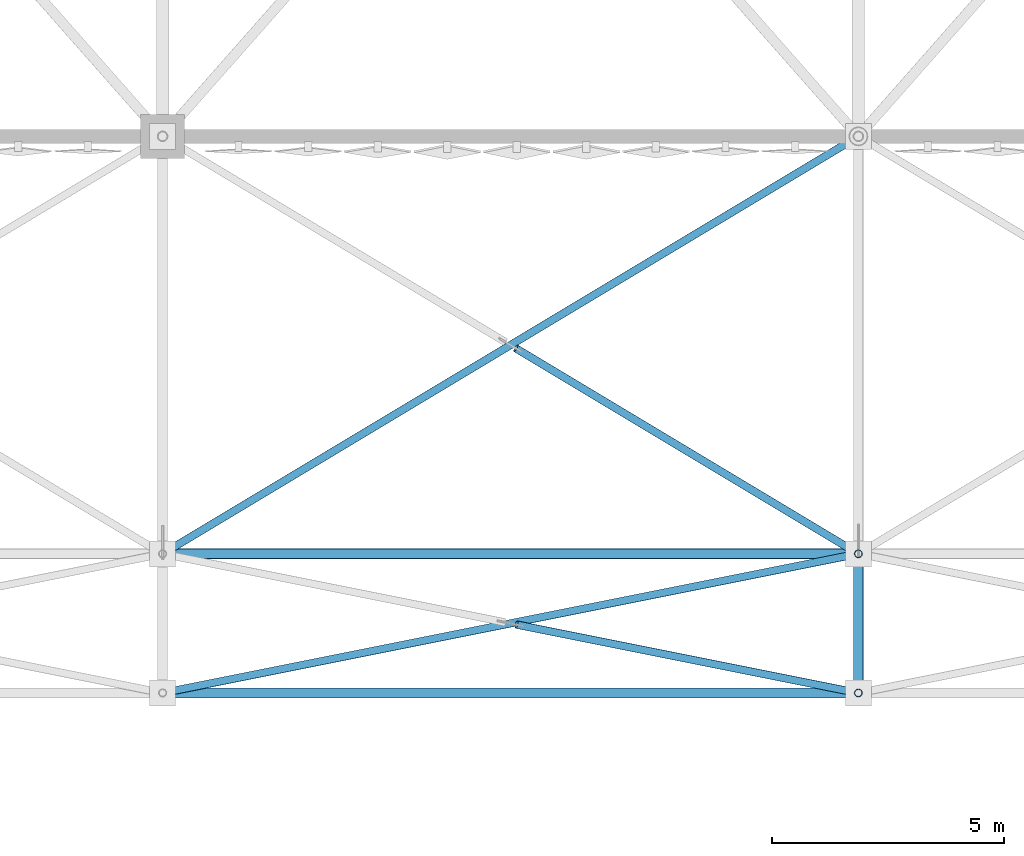
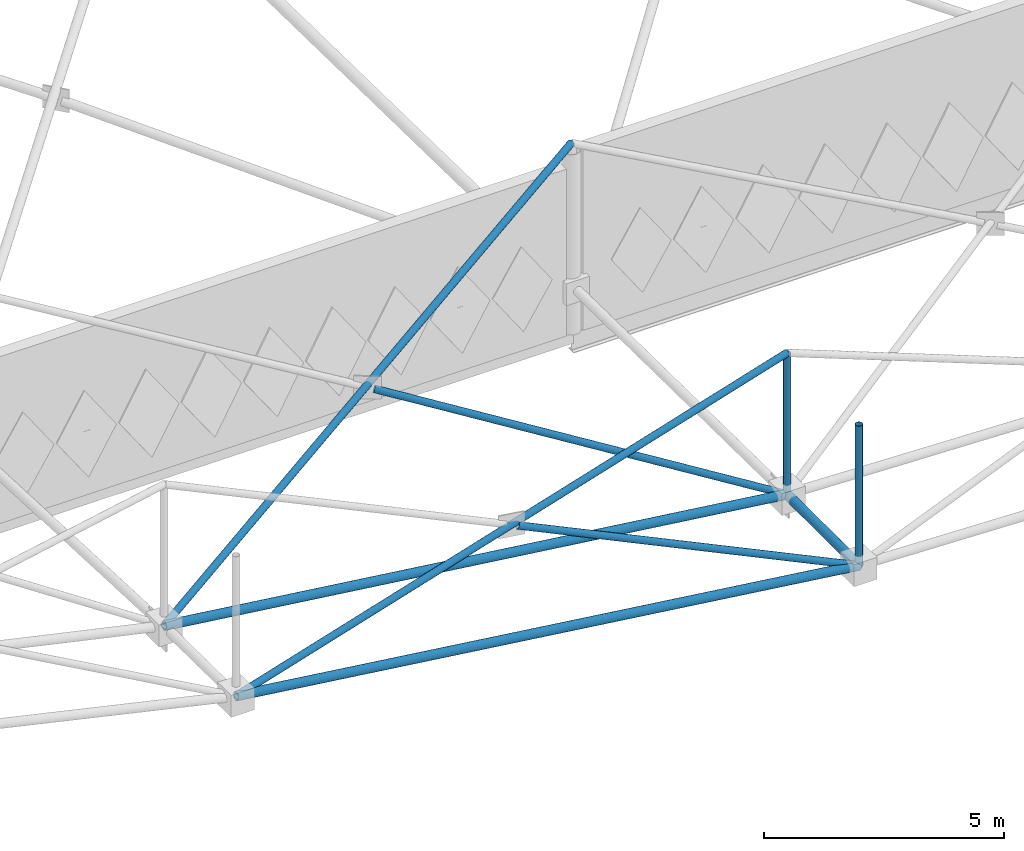
# One storey, part 25 of 224: 9 members.
"""IFC4 building model written with IfcOpenShell, lengths in metres."""

from ifc_helpers import new_model, si_unit, direction, frame, origin, origin_2d, place, context, subcontext, project, spatial, hollow_circle, extrude, material, material_profile, profile_set, type_object, element, save


model = new_model("IFC4")

# Units and contexts
model_context = context("Model", 3, precision=1e-05, world=origin(), true_north=direction((0.0, 1.0)))
body_context = subcontext(model_context, "Body", "Model", "MODEL_VIEW")
ifc_project = project(units=[si_unit("LENGTHUNIT", "METRE"), si_unit("AREAUNIT", "SQUARE_METRE"), si_unit("VOLUMEUNIT", "CUBIC_METRE"), si_unit("PLANEANGLEUNIT", "RADIAN"), si_unit("MASSUNIT", "GRAM", prefix="KILO")], contexts=[model_context])

# Site, building, storey
site_placement = place(None, origin())
site = spatial("IfcSite", under=ifc_project, at=site_placement, CompositionType="ELEMENT")
building_placement = place(site_placement, origin())
building = spatial("IfcBuilding", under=site, at=building_placement, Name="Qamarlyn Nura Convention Centre", CompositionType="ELEMENT")
storey_placement = place(building_placement, frame((0.0, 0.0, 10.800048828125)))
storey = spatial("IfcBuildingStorey", under=building, at=storey_placement, Name="L02", CompositionType="ELEMENT", Elevation=10.800048828125)

# Members
ifc_material = material(Name="Pearl-white PVDF steel ASTM A500 Grade C", Category="steel")
ifc_material_profile_1 = material_profile(ifc_material, hollow_circle(Radius=0.109619140625, WallThickness=0.010009765625, at=origin_2d()), Name="CHS219.1X10")
ifc_profile_set_1 = profile_set([ifc_material_profile_1], Name="Pearl-white PVDF steel ASTM A500 Grade C")
member_type_1 = type_object("IfcMemberType", Name="SF-BC-EAVE", PredefinedType="CHORD", material=ifc_profile_set_1)
member_1_placement = place(storey_placement, frame((15.0, 6.0, 3.199951171875), z_axis=(0.991859094073, 0.0, -0.127340243067), x_axis=(0.0, 1.0, 0.0)))
element("IfcMember", 1, at=member_1_placement, inside=storey, type_object=member_type_1, Name="ROOF TRUSS space frame bottom chord X3-0", PredefinedType="CHORD", context=body_context, shape_type="SweptSolid", body=[
    extrude(hollow_circle(Radius=0.109619140625, WallThickness=0.010009765625, at=origin_2d()), origin(), (0.0, 0.0, 1.0), 15.123046875),
])
member_2_placement = place(storey_placement, frame((15.0, 9.0, 3.170654296875), z_axis=(0.992031519104, 0.0, -0.125989940488), x_axis=(0.0, 1.0, 0.0)))
element("IfcMember", 2, at=member_2_placement, inside=storey, type_object=member_type_1, Name="ROOF TRUSS space frame bottom chord X3-1", PredefinedType="CHORD", context=body_context, shape_type="SweptSolid", body=[
    extrude(hollow_circle(Radius=0.109619140625, WallThickness=0.010009765625, at=origin_2d()), origin(), (0.0, 0.0, 1.0), 15.12060546875),
])
member_3_placement = place(storey_placement, frame((30.0, 6.0, 1.274169921875), z_axis=(0.0, 0.999995943597, -0.002848295738), x_axis=(-1.0, 0.0, 0.0)))
element("IfcMember", 3, at=member_3_placement, inside=storey, type_object=member_type_1, Name="ROOF TRUSS space frame bottom chord Y4-0", PredefinedType="CHORD", context=body_context, shape_type="SweptSolid", body=[
    extrude(hollow_circle(Radius=0.109619140625, WallThickness=0.010009765625, at=origin_2d()), origin(), (0.0, 0.0, 1.0), 3.0),
])
ifc_material_profile_2 = material_profile(ifc_material, hollow_circle(Radius=0.084228515625, WallThickness=0.008056640625, at=origin_2d()), Name="CHS168.3X8")
ifc_profile_set_2 = profile_set([ifc_material_profile_2], Name="Pearl-white PVDF steel ASTM A500 Grade C")
member_type_2 = type_object("IfcMemberType", Name="SF-WEB-STD", PredefinedType="BRACE", material=ifc_profile_set_2)
member_4_placement = place(storey_placement, frame((15.0, 6.0, 3.199951171875), z_axis=(0.97481796616, 0.194963593232, 0.108254931366), x_axis=(-0.196116135138, 0.980580675691, 0.0)))
element("IfcMember", 4, at=member_4_placement, inside=storey, type_object=member_type_2, Name="ROOF TRUSS space frame diagonal A 3-0", PredefinedType="BRACE", context=body_context, shape_type="SweptSolid", body=[
    extrude(hollow_circle(Radius=0.084228515625, WallThickness=0.008056640625, at=origin_2d()), origin(), (0.0, 0.0, 1.0), 15.387451171875),
])
member_5_placement = place(storey_placement, frame((30.0, 6.0, 1.274169921875), z_axis=(-0.92261709149, 0.18451730643, 0.338719745688), x_axis=(-0.196109889119, -0.980581924874, 0.0)))
element("IfcMember", 5, at=member_5_placement, inside=storey, type_object=member_type_2, Name="ROOF TRUSS space frame split diagonal B1 3-0", PredefinedType="BRACE", context=body_context, shape_type="SweptSolid", body=[
    extrude(hollow_circle(Radius=0.084228515625, WallThickness=0.008056640625, at=origin_2d()), origin(), (0.0, 0.0, 1.0), 7.989013671875),
])
member_6_placement = place(storey_placement, frame((15.0, 9.0, 3.170654296875), z_axis=(0.8540171225, 0.5124102735, 0.089947018224), x_axis=(-0.514495755428, 0.857492925713, 0.0)))
element("IfcMember", 6, at=member_6_placement, inside=storey, type_object=member_type_2, Name="ROOF TRUSS space frame diagonal A 3-1", PredefinedType="BRACE", context=body_context, shape_type="SweptSolid", body=[
    extrude(hollow_circle(Radius=0.084228515625, WallThickness=0.008056640625, at=origin_2d()), origin(), (0.0, 0.0, 1.0), 17.56396484375),
])
member_7_placement = place(storey_placement, frame((30.0, 9.0, 1.265625), z_axis=(-0.821317311479, 0.492795817443, 0.287385031231), x_axis=(-0.514499924343, -0.85749042435, 0.0)))
element("IfcMember", 7, at=member_7_placement, inside=storey, type_object=member_type_2, Name="ROOF TRUSS space frame split diagonal B1 3-1", PredefinedType="BRACE", context=body_context, shape_type="SweptSolid", body=[
    extrude(hollow_circle(Radius=0.084228515625, WallThickness=0.008056640625, at=origin_2d()), origin(), (0.0, 0.0, 1.0), 8.991455078125),
])
member_8_placement = place(storey_placement, frame((30.0, 6.0, 1.274169921875), z_axis=(0.0, 0.0, 1.0), x_axis=(1.0, 0.0, 0.0)))
element("IfcMember", 8, at=member_8_placement, inside=storey, type_object=member_type_2, Name="ROOF TRUSS space frame vertical 4-0", PredefinedType="BRACE", context=body_context, shape_type="SweptSolid", body=[
    extrude(hollow_circle(Radius=0.084228515625, WallThickness=0.008056640625, at=origin_2d()), origin(), (0.0, 0.0, 1.0), 3.599853515625),
])
member_9_placement = place(storey_placement, frame((30.0, 9.0, 1.265625), z_axis=(0.0, 0.0, 1.0), x_axis=(1.0, 0.0, 0.0)))
element("IfcMember", 9, at=member_9_placement, inside=storey, type_object=member_type_2, Name="ROOF TRUSS space frame vertical 4-1", PredefinedType="BRACE", context=body_context, shape_type="SweptSolid", body=[
    extrude(hollow_circle(Radius=0.084228515625, WallThickness=0.008056640625, at=origin_2d()), origin(), (0.0, 0.0, 1.0), 3.60009765625),
])

save(model, "model.ifc")
